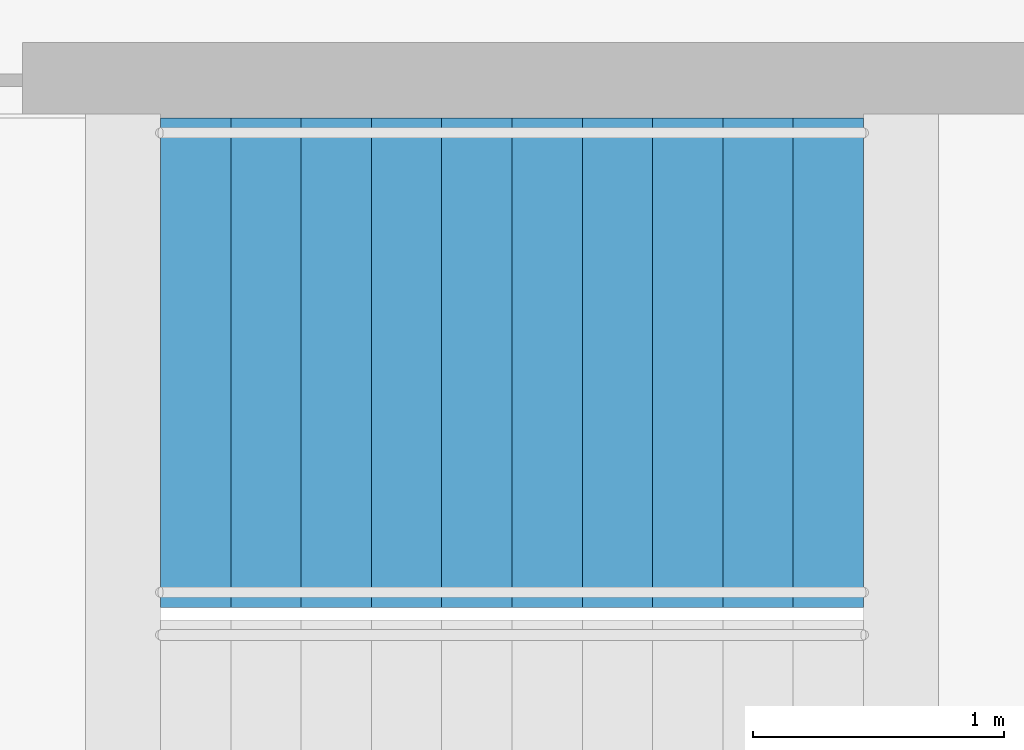
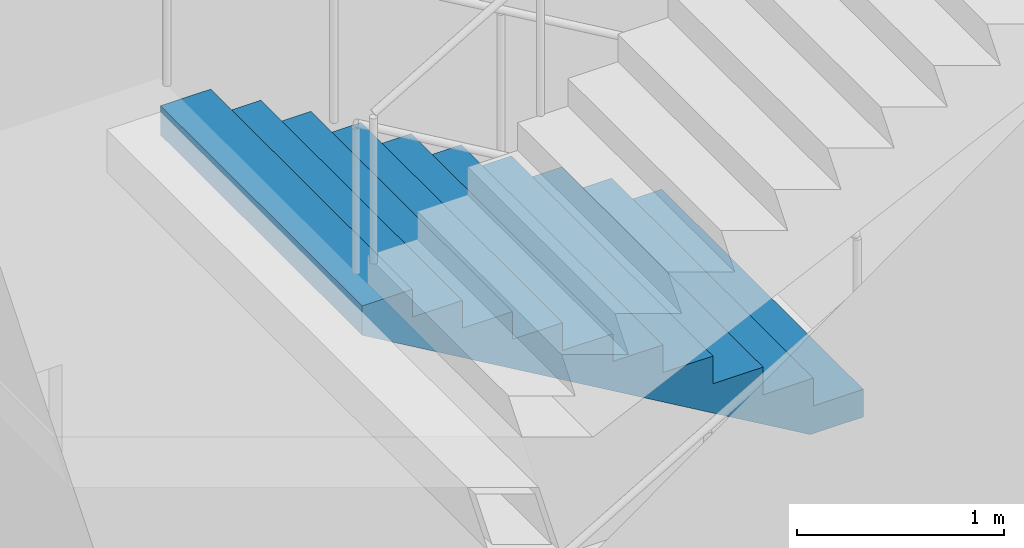
# One storey, part 18 of 24: 1 stair flight, 1 element without a shape of its own.
"""IFC4 building model written with IfcOpenShell, lengths in metres."""

from ifc_helpers import new_model, si_unit, direction, frame, origin, place, context, subcontext, project, spatial, triangles, material, type_object, element, aggregate, save


model = new_model("IFC4")

# Units and contexts
model_context = context("Model", 3, precision=1e-05, world=origin(), true_north=direction((0.0, 1.0)))
body_context = subcontext(model_context, "Body", "Model", "MODEL_VIEW")
ifc_project = project(units=[si_unit("LENGTHUNIT", "METRE"), si_unit("AREAUNIT", "SQUARE_METRE"), si_unit("VOLUMEUNIT", "CUBIC_METRE"), si_unit("PLANEANGLEUNIT", "RADIAN"), si_unit("MASSUNIT", "GRAM", prefix="KILO")], contexts=[model_context])

# Site, building, storey
site_placement = place(None, origin())
site = spatial("IfcSite", under=ifc_project, at=site_placement, CompositionType="ELEMENT")
building_placement = place(site_placement, origin())
building = spatial("IfcBuilding", under=site, at=building_placement, Name="Orbita Commons", CompositionType="ELEMENT")
storey_placement = place(building_placement, frame((0.0, 0.0, 68.949951171875)))
storey = spatial("IfcBuildingStorey", under=building, at=storey_placement, Name="L17", CompositionType="ELEMENT", Elevation=68.949951171875)

# Stair, stair flight
ifc_material_1 = material(Name="Precast concrete C40/50", Category="concrete")
stair_type = type_object("IfcStairType", Name="Exit stair S1 4 flights 11 risers 164", PredefinedType="HALF_TURN_STAIR", material=ifc_material_1)
stair_placement = place(storey_placement, origin())
stair = element("IfcStair", 1, at=stair_placement, inside=storey, type_object=stair_type, Name="Exit stair S1 L17", PredefinedType="HALF_TURN_STAIR")
ifc_material_2 = material(Name="Precast concrete C40/50", Category="concrete")
stair_flight_type = type_object("IfcStairFlightType", Name="Stair flight 11 risers 164 x 280", PredefinedType="STRAIGHT", material=ifc_material_2)
stair_flight_placement = place(storey_placement, frame((23.25, 29.27490234375, 1.800048828125), z_axis=(0.0, 0.0, 1.0), x_axis=(-1.0, 0.0, 0.0)))
stair_flight = element("IfcStairFlight", 2, at=stair_flight_placement, type_object=stair_flight_type, Name="S1 flight 2", NumberOfRisers=11, NumberOfTreads=10, PredefinedType="STRAIGHT", RiserHeight=0.163636364, TreadLength=0.28, context=body_context, shape_type="Tessellation", body=[
    triangles([(0.0, 0.974976, 0.0), (0.0, 0.974976, 0.020455), (0.0, 0.81248, 0.020455), (0.0, 0.81248, 0.0), (0.0, 0.649984, 0.020455), (0.0, 0.649984, 0.0), (0.0, 0.487488, 0.020455), (0.0, 0.487488, 0.0), (0.0, 0.324992, 0.020455), (0.0, 0.324992, 0.0), (0.0, 0.162496, 0.020455), (0.0, 0.162496, 0.0), (0.0, 0.0, 0.020455), (0.0, 0.0, 0.0), (0.0, -0.162496, 0.020455), (0.0, -0.162496, 0.0), (0.0, -0.324992, 0.020455), (0.0, -0.324992, 0.0), (0.0, -0.487488, 0.020455), (0.0, -0.487488, 0.0), (0.0, -0.649984, 0.020455), (0.0, -0.649984, 0.0), (0.0, -0.81248, 0.020455), (0.0, -0.81248, 0.0), (0.0, -0.974976, 0.020455), (0.0, -0.974976, 0.0), (0.0, 0.974976, 0.040909), (0.0, 0.81248, 0.040909), (0.0, 0.649984, 0.040909), (0.0, 0.487488, 0.040909), (0.0, 0.324992, 0.040909), (0.0, 0.162496, 0.040909), (0.0, 0.0, 0.040909), (0.0, -0.162496, 0.040909), (0.0, -0.324992, 0.040909), (0.0, -0.487488, 0.040909), (0.0, -0.649984, 0.040909), (0.0, -0.81248, 0.040909), (0.0, -0.974976, 0.040909), (0.0, 0.974976, 0.061364), (0.0, 0.81248, 0.061364), (0.0, 0.649984, 0.061364), (0.0, 0.487488, 0.061364), (0.0, 0.324992, 0.061364), (0.0, 0.162496, 0.061364), (0.0, 0.0, 0.061364), (0.0, -0.162496, 0.061364), (0.0, -0.324992, 0.061364), (0.0, -0.487488, 0.061364), (0.0, -0.649984, 0.061364), (0.0, -0.81248, 0.061364), (0.0, -0.974976, 0.061364), (0.0, 0.974976, 0.081818), (0.0, 0.81248, 0.081818), (0.0, 0.649984, 0.081818), (0.0, 0.487488, 0.081818), (0.0, 0.324992, 0.081818), (0.0, 0.162496, 0.081818), (0.0, 0.0, 0.081818), (0.0, -0.162496, 0.081818), (0.0, -0.324992, 0.081818), (0.0, -0.487488, 0.081818), (0.0, -0.649984, 0.081818), (0.0, -0.81248, 0.081818), (0.0, -0.974976, 0.081818), (0.0, 0.974976, 0.102273), (0.0, 0.81248, 0.102273), (0.0, 0.649984, 0.102273), (0.0, 0.487488, 0.102273), (0.0, 0.324992, 0.102273), (0.0, 0.162496, 0.102273), (0.0, 0.0, 0.102273), (0.0, -0.162496, 0.102273), (0.0, -0.324992, 0.102273), (0.0, -0.487488, 0.102273), (0.0, -0.649984, 0.102273), (0.0, -0.81248, 0.102273), (0.0, -0.974976, 0.102273), (0.0, 0.974976, 0.122727), (0.0, 0.81248, 0.122727), (0.0, 0.649984, 0.122727), (0.0, 0.487488, 0.122727), (0.0, 0.324992, 0.122727), (0.0, 0.162496, 0.122727), (0.0, 0.0, 0.122727), (0.0, -0.162496, 0.122727), (0.0, -0.324992, 0.122727), (0.0, -0.487488, 0.122727), (0.0, -0.649984, 0.122727), (0.0, -0.81248, 0.122727), (0.0, -0.974976, 0.122727), (0.0, 0.974976, 0.143182), (0.0, 0.81248, 0.143182), (0.0, 0.649984, 0.143182), (0.0, 0.487488, 0.143182), (0.0, 0.324992, 0.143182), (0.0, 0.162496, 0.143182), (0.0, 0.0, 0.143182), (0.0, -0.162496, 0.143182), (0.0, -0.324992, 0.143182), (0.0, -0.487488, 0.143182), (0.0, -0.649984, 0.143182), (0.0, -0.81248, 0.143182), (0.0, -0.974976, 0.143182), (0.0, 0.974976, 0.163636), (0.0, 0.81248, 0.163636), (0.0, 0.649984, 0.163636), (0.0, 0.487488, 0.163636), (0.0, 0.324992, 0.163636), (0.0, 0.162496, 0.163636), (0.0, 0.0, 0.163636), (0.0, -0.162496, 0.163636), (0.0, -0.324992, 0.163636), (0.0, -0.487488, 0.163636), (0.0, -0.649984, 0.163636), (0.0, -0.81248, 0.163636), (0.0, -0.974976, 0.163636), (0.28, 0.974976, 0.163636), (0.28, 0.81248, 0.163636), (0.28, 0.649984, 0.163636), (0.28, 0.487488, 0.163636), (0.28, 0.324992, 0.163636), (0.28, 0.162496, 0.163636), (0.28, 0.0, 0.163636), (0.28, -0.162496, 0.163636), (0.28, -0.324992, 0.163636), (0.28, -0.487488, 0.163636), (0.28, -0.649984, 0.163636), (0.28, -0.81248, 0.163636), (0.28, -0.974976, 0.163636), (0.28, 0.974976, 0.327273), (0.28, 0.81248, 0.327273), (0.28, 0.649984, 0.327273), (0.28, 0.487488, 0.327273), (0.28, 0.324992, 0.327273), (0.28, 0.162496, 0.327273), (0.28, 0.0, 0.327273), (0.28, -0.162496, 0.327273), (0.28, -0.324992, 0.327273), (0.28, -0.487488, 0.327273), (0.28, -0.649984, 0.327273), (0.28, -0.81248, 0.327273), (0.28, -0.974976, 0.327273), (0.56, 0.974976, 0.327273), (0.56, 0.81248, 0.327273), (0.56, 0.649984, 0.327273), (0.56, 0.487488, 0.327273), (0.56, 0.324992, 0.327273), (0.56, 0.162496, 0.327273), (0.56, 0.0, 0.327273), (0.56, -0.162496, 0.327273), (0.56, -0.324992, 0.327273), (0.56, -0.487488, 0.327273), (0.56, -0.649984, 0.327273), (0.56, -0.81248, 0.327273), (0.56, -0.974976, 0.327273), (0.56, 0.974976, 0.490909), (0.56, 0.81248, 0.490909), (0.56, 0.649984, 0.490909), (0.56, 0.487488, 0.490909), (0.56, 0.324992, 0.490909), (0.56, 0.162496, 0.490909), (0.56, 0.0, 0.490909), (0.56, -0.162496, 0.490909), (0.56, -0.324992, 0.490909), (0.56, -0.487488, 0.490909), (0.56, -0.649984, 0.490909), (0.56, -0.81248, 0.490909), (0.56, -0.974976, 0.490909), (0.84, 0.974976, 0.490909), (0.84, 0.81248, 0.490909), (0.84, 0.649984, 0.490909), (0.84, 0.487488, 0.490909), (0.84, 0.324992, 0.490909), (0.84, 0.162496, 0.490909), (0.84, 0.0, 0.490909), (0.84, -0.162496, 0.490909), (0.84, -0.324992, 0.490909), (0.84, -0.487488, 0.490909), (0.84, -0.649984, 0.490909), (0.84, -0.81248, 0.490909), (0.84, -0.974976, 0.490909), (0.84, 0.974976, 0.654545), (0.84, 0.81248, 0.654545), (0.84, 0.649984, 0.654545), (0.84, 0.487488, 0.654545), (0.84, 0.324992, 0.654545), (0.84, 0.162496, 0.654545), (0.84, 0.0, 0.654545), (0.84, -0.162496, 0.654545), (0.84, -0.324992, 0.654545), (0.84, -0.487488, 0.654545), (0.84, -0.649984, 0.654545), (0.84, -0.81248, 0.654545), (0.84, -0.974976, 0.654545), (1.12, 0.974976, 0.654545), (1.12, 0.81248, 0.654545), (1.12, 0.649984, 0.654545), (1.12, 0.487488, 0.654545), (1.12, 0.324992, 0.654545), (1.12, 0.162496, 0.654545), (1.12, 0.0, 0.654545), (1.12, -0.162496, 0.654545), (1.12, -0.324992, 0.654545), (1.12, -0.487488, 0.654545), (1.12, -0.649984, 0.654545), (1.12, -0.81248, 0.654545), (1.12, -0.974976, 0.654545), (1.12, 0.974976, 0.818182), (1.12, 0.81248, 0.818182), (1.12, 0.649984, 0.818182), (1.12, 0.487488, 0.818182), (1.12, 0.324992, 0.818182), (1.12, 0.162496, 0.818182), (1.12, 0.0, 0.818182), (1.12, -0.162496, 0.818182), (1.12, -0.324992, 0.818182), (1.12, -0.487488, 0.818182), (1.12, -0.649984, 0.818182), (1.12, -0.81248, 0.818182), (1.12, -0.974976, 0.818182), (1.4, 0.974976, 0.818182), (1.4, 0.81248, 0.818182), (1.4, 0.649984, 0.818182), (1.4, 0.487488, 0.818182), (1.4, 0.324992, 0.818182), (1.4, 0.162496, 0.818182), (1.4, 0.0, 0.818182), (1.4, -0.162496, 0.818182), (1.4, -0.324992, 0.818182), (1.4, -0.487488, 0.818182), (1.4, -0.649984, 0.818182), (1.4, -0.81248, 0.818182), (1.4, -0.974976, 0.818182), (1.4, 0.974976, 0.981818), (1.4, 0.81248, 0.981818), (1.4, 0.649984, 0.981818), (1.4, 0.487488, 0.981818), (1.4, 0.324992, 0.981818), (1.4, 0.162496, 0.981818), (1.4, 0.0, 0.981818), (1.4, -0.162496, 0.981818), (1.4, -0.324992, 0.981818), (1.4, -0.487488, 0.981818), (1.4, -0.649984, 0.981818), (1.4, -0.81248, 0.981818), (1.4, -0.974976, 0.981818), (1.68, 0.974976, 0.981818), (1.68, 0.81248, 0.981818), (1.68, 0.649984, 0.981818), (1.68, 0.487488, 0.981818), (1.68, 0.324992, 0.981818), (1.68, 0.162496, 0.981818), (1.68, 0.0, 0.981818), (1.68, -0.162496, 0.981818), (1.68, -0.324992, 0.981818), (1.68, -0.487488, 0.981818), (1.68, -0.649984, 0.981818), (1.68, -0.81248, 0.981818), (1.68, -0.974976, 0.981818), (1.68, 0.974976, 1.145455), (1.68, 0.81248, 1.145455), (1.68, 0.649984, 1.145455), (1.68, 0.487488, 1.145455), (1.68, 0.324992, 1.145455), (1.68, 0.162496, 1.145455), (1.68, 0.0, 1.145455), (1.68, -0.162496, 1.145455), (1.68, -0.324992, 1.145455), (1.68, -0.487488, 1.145455), (1.68, -0.649984, 1.145455), (1.68, -0.81248, 1.145455), (1.68, -0.974976, 1.145455), (1.96, 0.974976, 1.145455), (1.96, 0.81248, 1.145455), (1.96, 0.649984, 1.145455), (1.96, 0.487488, 1.145455), (1.96, 0.324992, 1.145455), (1.96, 0.162496, 1.145455), (1.96, 0.0, 1.145455), (1.96, -0.162496, 1.145455), (1.96, -0.324992, 1.145455), (1.96, -0.487488, 1.145455), (1.96, -0.649984, 1.145455), (1.96, -0.81248, 1.145455), (1.96, -0.974976, 1.145455), (1.96, 0.974976, 1.309091), (1.96, 0.81248, 1.309091), (1.96, 0.649984, 1.309091), (1.96, 0.487488, 1.309091), (1.96, 0.324992, 1.309091), (1.96, 0.162496, 1.309091), (1.96, 0.0, 1.309091), (1.96, -0.162496, 1.309091), (1.96, -0.324992, 1.309091), (1.96, -0.487488, 1.309091), (1.96, -0.649984, 1.309091), (1.96, -0.81248, 1.309091), (1.96, -0.974976, 1.309091), (2.24, 0.974976, 1.309091), (2.24, 0.81248, 1.309091), (2.24, 0.649984, 1.309091), (2.24, 0.487488, 1.309091), (2.24, 0.324992, 1.309091), (2.24, 0.162496, 1.309091), (2.24, 0.0, 1.309091), (2.24, -0.162496, 1.309091), (2.24, -0.324992, 1.309091), (2.24, -0.487488, 1.309091), (2.24, -0.649984, 1.309091), (2.24, -0.81248, 1.309091), (2.24, -0.974976, 1.309091), (2.24, 0.974976, 1.472727), (2.24, 0.81248, 1.472727), (2.24, 0.649984, 1.472727), (2.24, 0.487488, 1.472727), (2.24, 0.324992, 1.472727), (2.24, 0.162496, 1.472727), (2.24, 0.0, 1.472727), (2.24, -0.162496, 1.472727), (2.24, -0.324992, 1.472727), (2.24, -0.487488, 1.472727), (2.24, -0.649984, 1.472727), (2.24, -0.81248, 1.472727), (2.24, -0.974976, 1.472727), (2.52, 0.974976, 1.472727), (2.52, 0.81248, 1.472727), (2.52, 0.649984, 1.472727), (2.52, 0.487488, 1.472727), (2.52, 0.324992, 1.472727), (2.52, 0.162496, 1.472727), (2.52, 0.0, 1.472727), (2.52, -0.162496, 1.472727), (2.52, -0.324992, 1.472727), (2.52, -0.487488, 1.472727), (2.52, -0.649984, 1.472727), (2.52, -0.81248, 1.472727), (2.52, -0.974976, 1.472727), (2.52, 0.974976, 1.636364), (2.52, 0.81248, 1.636364), (2.52, 0.649984, 1.636364), (2.52, 0.487488, 1.636364), (2.52, 0.324992, 1.636364), (2.52, 0.162496, 1.636364), (2.52, 0.0, 1.636364), (2.52, -0.162496, 1.636364), (2.52, -0.324992, 1.636364), (2.52, -0.487488, 1.636364), (2.52, -0.649984, 1.636364), (2.52, -0.81248, 1.636364), (2.52, -0.974976, 1.636364), (2.8, 0.974976, 1.636364), (2.8, 0.81248, 1.636364), (2.8, 0.649984, 1.636364), (2.8, 0.487488, 1.636364), (2.8, 0.324992, 1.636364), (2.8, 0.162496, 1.636364), (2.8, 0.0, 1.636364), (2.8, -0.162496, 1.636364), (2.8, -0.324992, 1.636364), (2.8, -0.487488, 1.636364), (2.8, -0.649984, 1.636364), (2.8, -0.81248, 1.636364), (2.8, -0.974976, 1.636364), (2.8, 0.974976, 1.614661), (2.8, 0.81248, 1.614661), (2.8, 0.649984, 1.614661), (2.8, 0.487488, 1.614661), (2.8, 0.324992, 1.614661), (2.8, 0.162496, 1.614661), (2.8, 0.0, 1.614661), (2.8, -0.162496, 1.614661), (2.8, -0.324992, 1.614661), (2.8, -0.487488, 1.614661), (2.8, -0.649984, 1.614661), (2.8, -0.81248, 1.614661), (2.8, -0.974976, 1.614661), (2.8, 0.974976, 1.592958), (2.8, 0.81248, 1.592958), (2.8, 0.649984, 1.592958), (2.8, 0.487488, 1.592958), (2.8, 0.324992, 1.592958), (2.8, 0.162496, 1.592958), (2.8, 0.0, 1.592958), (2.8, -0.162496, 1.592958), (2.8, -0.324992, 1.592958), (2.8, -0.487488, 1.592958), (2.8, -0.649984, 1.592958), (2.8, -0.81248, 1.592958), (2.8, -0.974976, 1.592958), (2.8, 0.974976, 1.571255), (2.8, 0.81248, 1.571255), (2.8, 0.649984, 1.571255), (2.8, 0.487488, 1.571255), (2.8, 0.324992, 1.571255), (2.8, 0.162496, 1.571255), (2.8, 0.0, 1.571255), (2.8, -0.162496, 1.571255), (2.8, -0.324992, 1.571255), (2.8, -0.487488, 1.571255), (2.8, -0.649984, 1.571255), (2.8, -0.81248, 1.571255), (2.8, -0.974976, 1.571255), (2.8, 0.974976, 1.549551), (2.8, 0.81248, 1.549551), (2.8, 0.649984, 1.549551), (2.8, 0.487488, 1.549551), (2.8, 0.324992, 1.549551), (2.8, 0.162496, 1.549551), (2.8, 0.0, 1.549551), (2.8, -0.162496, 1.549551), (2.8, -0.324992, 1.549551), (2.8, -0.487488, 1.549551), (2.8, -0.649984, 1.549551), (2.8, -0.81248, 1.549551), (2.8, -0.974976, 1.549551), (2.8, 0.974976, 1.527848), (2.8, 0.81248, 1.527848), (2.8, 0.649984, 1.527848), (2.8, 0.487488, 1.527848), (2.8, 0.324992, 1.527848), (2.8, 0.162496, 1.527848), (2.8, 0.0, 1.527848), (2.8, -0.162496, 1.527848), (2.8, -0.324992, 1.527848), (2.8, -0.487488, 1.527848), (2.8, -0.649984, 1.527848), (2.8, -0.81248, 1.527848), (2.8, -0.974976, 1.527848), (2.8, 0.974976, 1.506145), (2.8, 0.81248, 1.506145), (2.8, 0.649984, 1.506145), (2.8, 0.487488, 1.506145), (2.8, 0.324992, 1.506145), (2.8, 0.162496, 1.506145), (2.8, 0.0, 1.506145), (2.8, -0.162496, 1.506145), (2.8, -0.324992, 1.506145), (2.8, -0.487488, 1.506145), (2.8, -0.649984, 1.506145), (2.8, -0.81248, 1.506145), (2.8, -0.974976, 1.506145), (2.8, 0.974976, 1.484442), (2.8, 0.81248, 1.484442), (2.8, 0.649984, 1.484442), (2.8, 0.487488, 1.484442), (2.8, 0.324992, 1.484442), (2.8, 0.162496, 1.484442), (2.8, 0.0, 1.484442), (2.8, -0.162496, 1.484442), (2.8, -0.324992, 1.484442), (2.8, -0.487488, 1.484442), (2.8, -0.649984, 1.484442), (2.8, -0.81248, 1.484442), (2.8, -0.974976, 1.484442), (2.8, 0.974976, 1.462739), (2.8, 0.81248, 1.462739), (2.8, 0.649984, 1.462739), (2.8, 0.487488, 1.462739), (2.8, 0.324992, 1.462739), (2.8, 0.162496, 1.462739), (2.8, 0.0, 1.462739), (2.8, -0.162496, 1.462739), (2.8, -0.324992, 1.462739), (2.8, -0.487488, 1.462739), (2.8, -0.649984, 1.462739), (2.8, -0.81248, 1.462739), (2.8, -0.974976, 1.462739), (0.29709, 0.974976, 0.0), (0.29709, 0.81248, 0.0), (0.29709, 0.649984, 0.0), (0.29709, 0.487488, 0.0), (0.29709, 0.324992, 0.0), (0.29709, 0.162496, 0.0), (0.29709, 0.0, 0.0), (0.29709, -0.162496, 0.0), (0.29709, -0.324992, 0.0), (0.29709, -0.487488, 0.0), (0.29709, -0.649984, 0.0), (0.29709, -0.81248, 0.0), (0.29709, -0.974976, 0.0)], [[3, 2, 1], [4, 3, 1], [5, 3, 4], [6, 5, 4], [7, 5, 6], [8, 7, 6], [9, 7, 8], [10, 9, 8], [11, 9, 10], [12, 11, 10], [13, 11, 12], [14, 13, 12], [15, 13, 14], [16, 15, 14], [17, 15, 16], [18, 17, 16], [19, 17, 18], [20, 19, 18], [21, 19, 20], [22, 21, 20], [23, 21, 22], [24, 23, 22], [25, 23, 24], [26, 25, 24], [28, 27, 2], [3, 28, 2], [29, 28, 3], [5, 29, 3], [30, 29, 5], [7, 30, 5], [31, 30, 7], [9, 31, 7], [32, 31, 9], [11, 32, 9], [33, 32, 11], [13, 33, 11], [34, 33, 13], [15, 34, 13], [35, 34, 15], [17, 35, 15], [36, 35, 17], [19, 36, 17], [37, 36, 19], [21, 37, 19], [38, 37, 21], [23, 38, 21], [39, 38, 23], [25, 39, 23], [41, 40, 27], [28, 41, 27], [42, 41, 28], [29, 42, 28], [43, 42, 29], [30, 43, 29], [44, 43, 30], [31, 44, 30], [45, 44, 31], [32, 45, 31], [46, 45, 32], [33, 46, 32], [47, 46, 33], [34, 47, 33], [48, 47, 34], [35, 48, 34], [49, 48, 35], [36, 49, 35], [50, 49, 36], [37, 50, 36], [51, 50, 37], [38, 51, 37], [52, 51, 38], [39, 52, 38], [54, 53, 40], [41, 54, 40], [55, 54, 41], [42, 55, 41], [56, 55, 42], [43, 56, 42], [57, 56, 43], [44, 57, 43], [58, 57, 44], [45, 58, 44], [59, 58, 45], [46, 59, 45], [60, 59, 46], [47, 60, 46], [61, 60, 47], [48, 61, 47], [62, 61, 48], [49, 62, 48], [63, 62, 49], [50, 63, 49], [64, 63, 50], [51, 64, 50], [65, 64, 51], [52, 65, 51], [67, 66, 53], [54, 67, 53], [68, 67, 54], [55, 68, 54], [69, 68, 55], [56, 69, 55], [70, 69, 56], [57, 70, 56], [71, 70, 57], [58, 71, 57], [72, 71, 58], [59, 72, 58], [73, 72, 59], [60, 73, 59], [74, 73, 60], [61, 74, 60], [75, 74, 61], [62, 75, 61], [76, 75, 62], [63, 76, 62], [77, 76, 63], [64, 77, 63], [78, 77, 64], [65, 78, 64], [80, 79, 66], [67, 80, 66], [81, 80, 67], [68, 81, 67], [82, 81, 68], [69, 82, 68], [83, 82, 69], [70, 83, 69], [84, 83, 70], [71, 84, 70], [85, 84, 71], [72, 85, 71], [86, 85, 72], [73, 86, 72], [87, 86, 73], [74, 87, 73], [88, 87, 74], [75, 88, 74], [89, 88, 75], [76, 89, 75], [90, 89, 76], [77, 90, 76], [91, 90, 77], [78, 91, 77], [93, 92, 79], [80, 93, 79], [94, 93, 80], [81, 94, 80], [95, 94, 81], [82, 95, 81], [96, 95, 82], [83, 96, 82], [97, 96, 83], [84, 97, 83], [98, 97, 84], [85, 98, 84], [99, 98, 85], [86, 99, 85], [100, 99, 86], [87, 100, 86], [101, 100, 87], [88, 101, 87], [102, 101, 88], [89, 102, 88], [103, 102, 89], [90, 103, 89], [104, 103, 90], [91, 104, 90], [106, 105, 92], [93, 106, 92], [107, 106, 93], [94, 107, 93], [108, 107, 94], [95, 108, 94], [109, 108, 95], [96, 109, 95], [110, 109, 96], [97, 110, 96], [111, 110, 97], [98, 111, 97], [112, 111, 98], [99, 112, 98], [113, 112, 99], [100, 113, 99], [114, 113, 100], [101, 114, 100], [115, 114, 101], [102, 115, 101], [116, 115, 102], [103, 116, 102], [117, 116, 103], [104, 117, 103], [119, 118, 105], [106, 119, 105], [120, 119, 106], [107, 120, 106], [121, 120, 107], [108, 121, 107], [122, 121, 108], [109, 122, 108], [123, 122, 109], [110, 123, 109], [124, 123, 110], [111, 124, 110], [125, 124, 111], [112, 125, 111], [126, 125, 112], [113, 126, 112], [127, 126, 113], [114, 127, 113], [128, 127, 114], [115, 128, 114], [129, 128, 115], [116, 129, 115], [130, 129, 116], [117, 130, 116], [132, 131, 118], [119, 132, 118], [133, 132, 119], [120, 133, 119], [134, 133, 120], [121, 134, 120], [135, 134, 121], [122, 135, 121], [136, 135, 122], [123, 136, 122], [137, 136, 123], [124, 137, 123], [138, 137, 124], [125, 138, 124], [139, 138, 125], [126, 139, 125], [140, 139, 126], [127, 140, 126], [141, 140, 127], [128, 141, 127], [142, 141, 128], [129, 142, 128], [143, 142, 129], [130, 143, 129], [145, 144, 131], [132, 145, 131], [146, 145, 132], [133, 146, 132], [147, 146, 133], [134, 147, 133], [148, 147, 134], [135, 148, 134], [149, 148, 135], [136, 149, 135], [150, 149, 136], [137, 150, 136], [151, 150, 137], [138, 151, 137], [152, 151, 138], [139, 152, 138], [153, 152, 139], [140, 153, 139], [154, 153, 140], [141, 154, 140], [155, 154, 141], [142, 155, 141], [156, 155, 142], [143, 156, 142], [158, 157, 144], [145, 158, 144], [159, 158, 145], [146, 159, 145], [160, 159, 146], [147, 160, 146], [161, 160, 147], [148, 161, 147], [162, 161, 148], [149, 162, 148], [163, 162, 149], [150, 163, 149], [164, 163, 150], [151, 164, 150], [165, 164, 151], [152, 165, 151], [166, 165, 152], [153, 166, 152], [167, 166, 153], [154, 167, 153], [168, 167, 154], [155, 168, 154], [169, 168, 155], [156, 169, 155], [171, 170, 157], [158, 171, 157], [172, 171, 158], [159, 172, 158], [173, 172, 159], [160, 173, 159], [174, 173, 160], [161, 174, 160], [175, 174, 161], [162, 175, 161], [176, 175, 162], [163, 176, 162], [177, 176, 163], [164, 177, 163], [178, 177, 164], [165, 178, 164], [179, 178, 165], [166, 179, 165], [180, 179, 166], [167, 180, 166], [181, 180, 167], [168, 181, 167], [182, 181, 168], [169, 182, 168], [184, 183, 170], [171, 184, 170], [185, 184, 171], [172, 185, 171], [186, 185, 172], [173, 186, 172], [187, 186, 173], [174, 187, 173], [188, 187, 174], [175, 188, 174], [189, 188, 175], [176, 189, 175], [190, 189, 176], [177, 190, 176], [191, 190, 177], [178, 191, 177], [192, 191, 178], [179, 192, 178], [193, 192, 179], [180, 193, 179], [194, 193, 180], [181, 194, 180], [195, 194, 181], [182, 195, 181], [197, 196, 183], [184, 197, 183], [198, 197, 184], [185, 198, 184], [199, 198, 185], [186, 199, 185], [200, 199, 186], [187, 200, 186], [201, 200, 187], [188, 201, 187], [202, 201, 188], [189, 202, 188], [203, 202, 189], [190, 203, 189], [204, 203, 190], [191, 204, 190], [205, 204, 191], [192, 205, 191], [206, 205, 192], [193, 206, 192], [207, 206, 193], [194, 207, 193], [208, 207, 194], [195, 208, 194], [210, 209, 196], [197, 210, 196], [211, 210, 197], [198, 211, 197], [212, 211, 198], [199, 212, 198], [213, 212, 199], [200, 213, 199], [214, 213, 200], [201, 214, 200], [215, 214, 201], [202, 215, 201], [216, 215, 202], [203, 216, 202], [217, 216, 203], [204, 217, 203], [218, 217, 204], [205, 218, 204], [219, 218, 205], [206, 219, 205], [220, 219, 206], [207, 220, 206], [221, 220, 207], [208, 221, 207], [223, 222, 209], [210, 223, 209], [224, 223, 210], [211, 224, 210], [225, 224, 211], [212, 225, 211], [226, 225, 212], [213, 226, 212], [227, 226, 213], [214, 227, 213], [228, 227, 214], [215, 228, 214], [229, 228, 215], [216, 229, 215], [230, 229, 216], [217, 230, 216], [231, 230, 217], [218, 231, 217], [232, 231, 218], [219, 232, 218], [233, 232, 219], [220, 233, 219], [234, 233, 220], [221, 234, 220], [236, 235, 222], [223, 236, 222], [237, 236, 223], [224, 237, 223], [238, 237, 224], [225, 238, 224], [239, 238, 225], [226, 239, 225], [240, 239, 226], [227, 240, 226], [241, 240, 227], [228, 241, 227], [242, 241, 228], [229, 242, 228], [243, 242, 229], [230, 243, 229], [244, 243, 230], [231, 244, 230], [245, 244, 231], [232, 245, 231], [246, 245, 232], [233, 246, 232], [247, 246, 233], [234, 247, 233], [249, 248, 235], [236, 249, 235], [250, 249, 236], [237, 250, 236], [251, 250, 237], [238, 251, 237], [252, 251, 238], [239, 252, 238], [253, 252, 239], [240, 253, 239], [254, 253, 240], [241, 254, 240], [255, 254, 241], [242, 255, 241], [256, 255, 242], [243, 256, 242], [257, 256, 243], [244, 257, 243], [258, 257, 244], [245, 258, 244], [259, 258, 245], [246, 259, 245], [260, 259, 246], [247, 260, 246], [262, 261, 248], [249, 262, 248], [263, 262, 249], [250, 263, 249], [264, 263, 250], [251, 264, 250], [265, 264, 251], [252, 265, 251], [266, 265, 252], [253, 266, 252], [267, 266, 253], [254, 267, 253], [268, 267, 254], [255, 268, 254], [269, 268, 255], [256, 269, 255], [270, 269, 256], [257, 270, 256], [271, 270, 257], [258, 271, 257], [272, 271, 258], [259, 272, 258], [273, 272, 259], [260, 273, 259], [275, 274, 261], [262, 275, 261], [276, 275, 262], [263, 276, 262], [277, 276, 263], [264, 277, 263], [278, 277, 264], [265, 278, 264], [279, 278, 265], [266, 279, 265], [280, 279, 266], [267, 280, 266], [281, 280, 267], [268, 281, 267], [282, 281, 268], [269, 282, 268], [283, 282, 269], [270, 283, 269], [284, 283, 270], [271, 284, 270], [285, 284, 271], [272, 285, 271], [286, 285, 272], [273, 286, 272], [288, 287, 274], [275, 288, 274], [289, 288, 275], [276, 289, 275], [290, 289, 276], [277, 290, 276], [291, 290, 277], [278, 291, 277], [292, 291, 278], [279, 292, 278], [293, 292, 279], [280, 293, 279], [294, 293, 280], [281, 294, 280], [295, 294, 281], [282, 295, 281], [296, 295, 282], [283, 296, 282], [297, 296, 283], [284, 297, 283], [298, 297, 284], [285, 298, 284], [299, 298, 285], [286, 299, 285], [301, 300, 287], [288, 301, 287], [302, 301, 288], [289, 302, 288], [303, 302, 289], [290, 303, 289], [304, 303, 290], [291, 304, 290], [305, 304, 291], [292, 305, 291], [306, 305, 292], [293, 306, 292], [307, 306, 293], [294, 307, 293], [308, 307, 294], [295, 308, 294], [309, 308, 295], [296, 309, 295], [310, 309, 296], [297, 310, 296], [311, 310, 297], [298, 311, 297], [312, 311, 298], [299, 312, 298], [314, 313, 300], [301, 314, 300], [315, 314, 301], [302, 315, 301], [316, 315, 302], [303, 316, 302], [317, 316, 303], [304, 317, 303], [318, 317, 304], [305, 318, 304], [319, 318, 305], [306, 319, 305], [320, 319, 306], [307, 320, 306], [321, 320, 307], [308, 321, 307], [322, 321, 308], [309, 322, 308], [323, 322, 309], [310, 323, 309], [324, 323, 310], [311, 324, 310], [325, 324, 311], [312, 325, 311], [327, 326, 313], [314, 327, 313], [328, 327, 314], [315, 328, 314], [329, 328, 315], [316, 329, 315], [330, 329, 316], [317, 330, 316], [331, 330, 317], [318, 331, 317], [332, 331, 318], [319, 332, 318], [333, 332, 319], [320, 333, 319], [334, 333, 320], [321, 334, 320], [335, 334, 321], [322, 335, 321], [336, 335, 322], [323, 336, 322], [337, 336, 323], [324, 337, 323], [338, 337, 324], [325, 338, 324], [340, 339, 326], [327, 340, 326], [341, 340, 327], [328, 341, 327], [342, 341, 328], [329, 342, 328], [343, 342, 329], [330, 343, 329], [344, 343, 330], [331, 344, 330], [345, 344, 331], [332, 345, 331], [346, 345, 332], [333, 346, 332], [347, 346, 333], [334, 347, 333], [348, 347, 334], [335, 348, 334], [349, 348, 335], [336, 349, 335], [350, 349, 336], [337, 350, 336], [351, 350, 337], [338, 351, 337], [353, 352, 339], [340, 353, 339], [354, 353, 340], [341, 354, 340], [355, 354, 341], [342, 355, 341], [356, 355, 342], [343, 356, 342], [357, 356, 343], [344, 357, 343], [358, 357, 344], [345, 358, 344], [359, 358, 345], [346, 359, 345], [360, 359, 346], [347, 360, 346], [361, 360, 347], [348, 361, 347], [362, 361, 348], [349, 362, 348], [363, 362, 349], [350, 363, 349], [364, 363, 350], [351, 364, 350], [366, 365, 352], [353, 366, 352], [367, 366, 353], [354, 367, 353], [368, 367, 354], [355, 368, 354], [369, 368, 355], [356, 369, 355], [370, 369, 356], [357, 370, 356], [371, 370, 357], [358, 371, 357], [372, 371, 358], [359, 372, 358], [373, 372, 359], [360, 373, 359], [374, 373, 360], [361, 374, 360], [375, 374, 361], [362, 375, 361], [376, 375, 362], [363, 376, 362], [377, 376, 363], [364, 377, 363], [379, 378, 365], [366, 379, 365], [380, 379, 366], [367, 380, 366], [381, 380, 367], [368, 381, 367], [382, 381, 368], [369, 382, 368], [383, 382, 369], [370, 383, 369], [384, 383, 370], [371, 384, 370], [385, 384, 371], [372, 385, 371], [386, 385, 372], [373, 386, 372], [387, 386, 373], [374, 387, 373], [388, 387, 374], [375, 388, 374], [389, 388, 375], [376, 389, 375], [390, 389, 376], [377, 390, 376], [392, 391, 378], [379, 392, 378], [393, 392, 379], [380, 393, 379], [394, 393, 380], [381, 394, 380], [395, 394, 381], [382, 395, 381], [396, 395, 382], [383, 396, 382], [397, 396, 383], [384, 397, 383], [398, 397, 384], [385, 398, 384], [399, 398, 385], [386, 399, 385], [400, 399, 386], [387, 400, 386], [401, 400, 387], [388, 401, 387], [402, 401, 388], [389, 402, 388], [403, 402, 389], [390, 403, 389], [405, 404, 391], [392, 405, 391], [406, 405, 392], [393, 406, 392], [407, 406, 393], [394, 407, 393], [408, 407, 394], [395, 408, 394], [409, 408, 395], [396, 409, 395], [410, 409, 396], [397, 410, 396], [411, 410, 397], [398, 411, 397], [412, 411, 398], [399, 412, 398], [413, 412, 399], [400, 413, 399], [414, 413, 400], [401, 414, 400], [415, 414, 401], [402, 415, 401], [416, 415, 402], [403, 416, 402], [418, 417, 404], [405, 418, 404], [419, 418, 405], [406, 419, 405], [420, 419, 406], [407, 420, 406], [421, 420, 407], [408, 421, 407], [422, 421, 408], [409, 422, 408], [423, 422, 409], [410, 423, 409], [424, 423, 410], [411, 424, 410], [425, 424, 411], [412, 425, 411], [426, 425, 412], [413, 426, 412], [427, 426, 413], [414, 427, 413], [428, 427, 414], [415, 428, 414], [429, 428, 415], [416, 429, 415], [431, 430, 417], [418, 431, 417], [432, 431, 418], [419, 432, 418], [433, 432, 419], [420, 433, 419], [434, 433, 420], [421, 434, 420], [435, 434, 421], [422, 435, 421], [436, 435, 422], [423, 436, 422], [437, 436, 423], [424, 437, 423], [438, 437, 424], [425, 438, 424], [439, 438, 425], [426, 439, 425], [440, 439, 426], [427, 440, 426], [441, 440, 427], [428, 441, 427], [442, 441, 428], [429, 442, 428], [444, 443, 430], [431, 444, 430], [445, 444, 431], [432, 445, 431], [446, 445, 432], [433, 446, 432], [447, 446, 433], [434, 447, 433], [448, 447, 434], [435, 448, 434], [449, 448, 435], [436, 449, 435], [450, 449, 436], [437, 450, 436], [451, 450, 437], [438, 451, 437], [452, 451, 438], [439, 452, 438], [453, 452, 439], [440, 453, 439], [454, 453, 440], [441, 454, 440], [455, 454, 441], [442, 455, 441], [457, 456, 443], [444, 457, 443], [458, 457, 444], [445, 458, 444], [459, 458, 445], [446, 459, 445], [460, 459, 446], [447, 460, 446], [461, 460, 447], [448, 461, 447], [462, 461, 448], [449, 462, 448], [463, 462, 449], [450, 463, 449], [464, 463, 450], [451, 464, 450], [465, 464, 451], [452, 465, 451], [466, 465, 452], [453, 466, 452], [467, 466, 453], [454, 467, 453], [468, 467, 454], [455, 468, 454], [470, 469, 456], [457, 470, 456], [471, 470, 457], [458, 471, 457], [472, 471, 458], [459, 472, 458], [473, 472, 459], [460, 473, 459], [474, 473, 460], [461, 474, 460], [475, 474, 461], [462, 475, 461], [476, 475, 462], [463, 476, 462], [477, 476, 463], [464, 477, 463], [478, 477, 464], [465, 478, 464], [479, 478, 465], [466, 479, 465], [480, 479, 466], [467, 480, 466], [481, 480, 467], [468, 481, 467], [4, 1, 469], [470, 4, 469], [6, 4, 470], [471, 6, 470], [8, 6, 471], [472, 8, 471], [10, 8, 472], [473, 10, 472], [12, 10, 473], [474, 12, 473], [14, 12, 474], [475, 14, 474], [16, 14, 475], [476, 16, 475], [18, 16, 476], [477, 18, 476], [20, 18, 477], [478, 20, 477], [22, 20, 478], [479, 22, 478], [24, 22, 479], [480, 24, 479], [26, 24, 480], [481, 26, 480], [456, 469, 1], [26, 481, 468], [443, 456, 1], [26, 468, 455], [430, 443, 1], [26, 455, 442], [417, 430, 1], [26, 442, 429], [404, 417, 1], [26, 429, 416], [391, 404, 1], [26, 416, 403], [378, 391, 1], [26, 403, 390], [365, 378, 1], [26, 390, 377], [339, 352, 365], [377, 364, 351], [326, 339, 365], [377, 351, 338], [300, 313, 326], [338, 325, 312], [300, 326, 365], [377, 338, 312], [274, 287, 300], [312, 299, 286], [274, 300, 365], [377, 312, 286], [248, 261, 274], [286, 273, 260], [248, 274, 365], [377, 286, 260], [222, 235, 248], [260, 247, 234], [222, 248, 365], [377, 260, 234], [196, 209, 222], [234, 221, 208], [196, 222, 365], [377, 234, 208], [170, 183, 196], [208, 195, 182], [170, 196, 365], [377, 208, 182], [144, 157, 170], [182, 169, 156], [144, 170, 365], [377, 182, 156], [118, 131, 144], [156, 143, 130], [118, 144, 365], [377, 156, 130], [118, 365, 1], [26, 377, 130], [92, 105, 118], [130, 117, 104], [79, 92, 118], [130, 104, 91], [66, 79, 118], [130, 91, 78], [53, 66, 118], [130, 78, 65], [40, 53, 118], [130, 65, 52], [27, 40, 118], [130, 52, 39], [2, 27, 118], [130, 39, 25], [1, 2, 118], [130, 25, 26]], closed=True),
])
aggregate(stair, [stair_flight])

save(model, "model.ifc")
